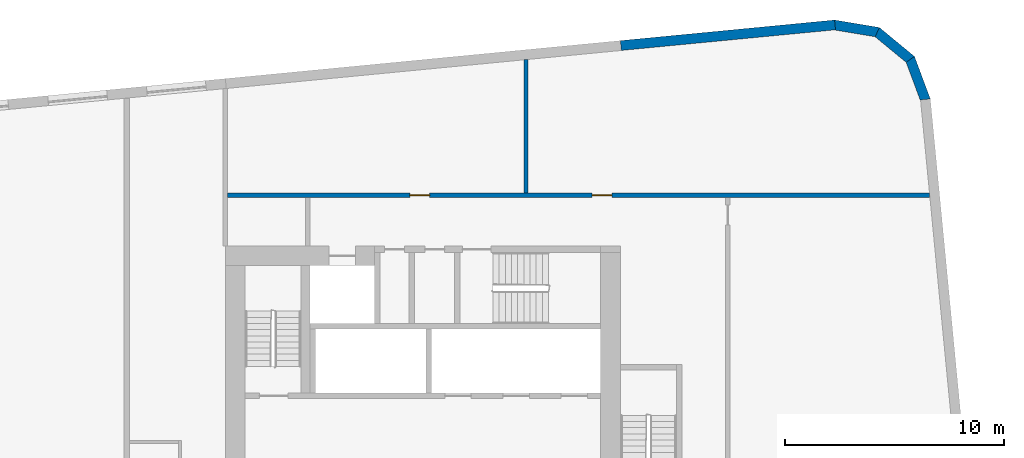
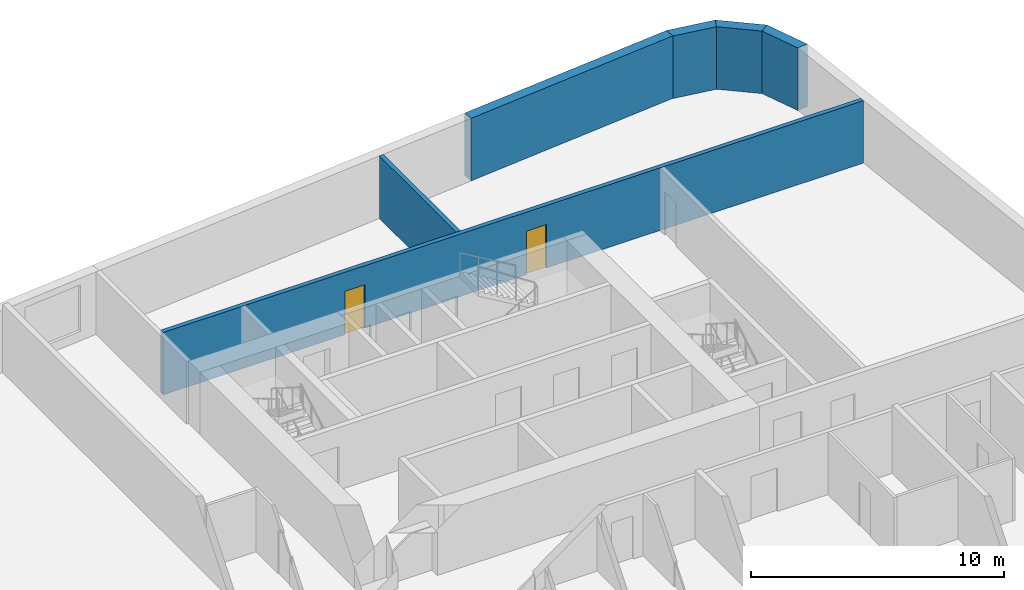
# One storey, part 8 of 12: 6 walls, 2 doors, 2 openings.
"""IFC4 building model written with IfcOpenShell, lengths in metres."""

import ifcopenshell
import ifcopenshell.guid

model = None  # the IFC model being written
_history = None  # IfcOwnerHistory: only IFC2X3 demands one
_inside = {}  # id of a spatial element -> (the spatial element, [elements in it])
_under = {}  # id of a project, library or spatial element -> (it, [spatial elements below it])
_declared = {}  # id of a project -> (the project, [libraries it declares])
_typed = {}  # id of a type object -> (the type object, [elements of that type])
_made_of = {}  # id of a material, layer set ... -> (it, [elements and type objects made of it])


def new_model(schema):
    """Start an empty IFC model of exactly this schema.

    Asked for "IFC4X3", IfcOpenShell would pick the latest addendum, in which some entities
    have other attributes; the version numbers below select the first issue.
    IFC2X3 requires an IfcOwnerHistory on every rooted entity: one is made here for all.
    """
    global model, _history
    if schema == "IFC4X3":
        model = ifcopenshell.file(schema_version=(4, 3, 0, 0))
    else:
        model = ifcopenshell.file(schema=schema)
    _inside.clear()
    _under.clear()
    _declared.clear()
    _typed.clear()
    _made_of.clear()
    _history = None
    if model.schema == "IFC2X3":
        org = make("IfcOrganization", Name="unknown")
        user = make(
            "IfcPersonAndOrganization",
            ThePerson=make("IfcPerson", FamilyName="unknown"),
            TheOrganization=org,
        )
        app = make(
            "IfcApplication",
            ApplicationDeveloper=org,
            Version="unknown",
            ApplicationFullName="unknown",
            ApplicationIdentifier="unknown",
        )
        _history = make(
            "IfcOwnerHistory",
            OwningUser=user,
            OwningApplication=app,
            ChangeAction="ADDED",
            CreationDate=0,
        )
    return model


def make(cls, **values):
    """One entity of the class cls with the attributes given. An attribute that is None is left unset."""
    return model.create_entity(
        cls, **{name: value for name, value in values.items() if value is not None}
    )


def rooted(cls, **values):
    """An entity with a GlobalId (a new one), such as an element, a storey or a relation."""
    return make(cls, GlobalId=ifcopenshell.guid.new(), OwnerHistory=_history, **values)


def si_unit(unit_type, name, prefix=None):
    """IfcSIUnit, for example si_unit("LENGTHUNIT", "METRE", prefix="MILLI")."""
    return make("IfcSIUnit", UnitType=unit_type, Prefix=prefix, Name=name)


def assignment(units):
    """IfcUnitAssignment: the units of a project."""
    return None if units is None else make("IfcUnitAssignment", Units=units)


def point(xyz):
    """IfcCartesianPoint."""
    return None if xyz is None else make("IfcCartesianPoint", Coordinates=xyz)


def direction(xyz):
    """IfcDirection."""
    return None if xyz is None else make("IfcDirection", DirectionRatios=xyz)


def frame(location, z_axis=None, x_axis=None):
    """IfcAxis2Placement3D, a coordinate frame: its origin and axes. An axis left out is left unset."""
    return make(
        "IfcAxis2Placement3D",
        Location=point(location),
        Axis=direction(z_axis),
        RefDirection=direction(x_axis),
    )


def frame_2d(location, x_axis=None):
    """IfcAxis2Placement2D, a coordinate frame in the plane: its origin and x axis."""
    return make(
        "IfcAxis2Placement2D", Location=point(location), RefDirection=direction(x_axis)
    )


def origin():
    """The frame at (0, 0, 0) with its axes left unset."""
    return frame((0.0, 0.0, 0.0))


def place(relative_to, where):
    """IfcLocalPlacement: puts the frame where relative to a parent placement (None: the world)."""
    return make(
        "IfcLocalPlacement", PlacementRelTo=relative_to, RelativePlacement=where
    )


def context(
    kind, dimensions, precision=None, world=None, true_north=None, identifier=None
):
    """IfcGeometricRepresentationContext, for example the 3D "Model" context."""
    return make(
        "IfcGeometricRepresentationContext",
        ContextIdentifier=identifier,
        ContextType=kind,
        CoordinateSpaceDimension=dimensions,
        Precision=precision,
        WorldCoordinateSystem=world,
        TrueNorth=true_north,
    )


def subcontext(parent, identifier, kind, view, scale=None):
    """IfcGeometricRepresentationSubContext, for example "Body" below "Model"."""
    return make(
        "IfcGeometricRepresentationSubContext",
        ContextIdentifier=identifier,
        ContextType=kind,
        ParentContext=parent,
        TargetScale=scale,
        TargetView=view,
    )


def project(units=None, contexts=None):
    """IfcProject with its units and contexts."""
    return rooted(
        "IfcProject",
        Name="project",
        RepresentationContexts=contexts,
        UnitsInContext=assignment(units),
    )


def spatial(cls, under=None, at=None, **own):
    """A site, building, storey or space (cls), placed at a placement, below another one or the project."""
    s = rooted(cls, ObjectPlacement=at, **own)
    if under is not None:
        _under.setdefault(under.id(), (under, []))[1].append(s)
    return s


def polyline(points):
    """IfcPolyline through the points."""
    return make("IfcPolyline", Points=[point(p) for p in points])


def profile(cls, at=None, kind="AREA", **sizes):
    """A parametric profile (cls). Its sizes go by their IFC names, for example OverallWidth=200.0."""
    return make(cls, ProfileType=kind, Position=at, **sizes)


def rectangle(**sizes):
    """IfcRectangleProfileDef."""
    return profile("IfcRectangleProfileDef", **sizes)


def outline(outer, holes=None, kind="AREA"):
    """IfcArbitraryClosedProfileDef: a profile drawn as a closed curve; with holes, ...WithVoids."""
    if holes is None:
        return make("IfcArbitraryClosedProfileDef", ProfileType=kind, OuterCurve=outer)
    return make(
        "IfcArbitraryProfileDefWithVoids",
        ProfileType=kind,
        OuterCurve=outer,
        InnerCurves=holes,
    )


def extrude(swept, where, along, depth):
    """IfcExtrudedAreaSolid: the profile swept, set in the frame where, extruded along a direction by depth."""
    return make(
        "IfcExtrudedAreaSolid",
        SweptArea=swept,
        Position=where,
        ExtrudedDirection=direction(along),
        Depth=depth,
    )


def shape(context_of_items, identifier, shape_type, items):
    """IfcShapeRepresentation: the items that make up one representation, for example the "Body"."""
    return make(
        "IfcShapeRepresentation",
        ContextOfItems=context_of_items,
        RepresentationIdentifier=identifier,
        RepresentationType=shape_type,
        Items=items,
    )


def material(Name=None, Category=None):
    """IfcMaterial."""
    return make("IfcMaterial", Name=Name, Category=Category)


def layer(
    of_material, thickness, ventilated=None, Name=None, Category=None, Priority=None
):
    """IfcMaterialLayer: one layer of a wall or slab, of a material (None: an air gap)."""
    return make(
        "IfcMaterialLayer",
        Material=of_material,
        LayerThickness=thickness,
        IsVentilated=ventilated,
        Name=Name,
        Category=Category,
        Priority=Priority,
    )


def layer_set(layers, Name=None):
    """IfcMaterialLayerSet."""
    return make("IfcMaterialLayerSet", MaterialLayers=layers, LayerSetName=Name)


def made_of(thing, what):
    """Note that an element or type object is made of a material, layer set ...; save() writes the relation."""
    if what is not None:
        _made_of.setdefault(what.id(), (what, []))[1].append(thing)
    return thing


def type_object(cls, material=None, **own):
    """A type object (cls), such as IfcWallType, which elements share."""
    return made_of(rooted(cls, **own), material)


def element(
    cls,
    number,
    at=None,
    inside=None,
    cuts=None,
    type_object=None,
    material=None,
    context=None,
    identifier="Body",
    shape_type=None,
    held_by="IfcProductDefinitionShape",
    body=None,
    shapes=None,
    **own,
):
    """One element of the class cls, such as IfcWall. Its Tag is "e" and its number.

    at: its placement. inside: the storey or other place that contains it. cuts: it is an
    opening in that element (IfcRelVoidsElement). A single representation is given by context,
    identifier, shape_type and body (its items); several are given by shapes. held_by: the class
    of the entity that holds the representations. save() writes the other relations.
    """
    e = rooted(cls, Tag="e%d" % number, ObjectPlacement=at, **own)
    if body is not None:
        shapes = [shape(context, identifier, shape_type, body)]
    if shapes is not None:
        e.Representation = make(held_by, Representations=shapes)
    if inside is not None:
        _inside.setdefault(inside.id(), (inside, []))[1].append(e)
    if cuts is not None:
        rooted(
            "IfcRelVoidsElement", RelatingBuildingElement=cuts, RelatedOpeningElement=e
        )
    if type_object is not None:
        _typed.setdefault(type_object.id(), (type_object, []))[1].append(e)
    return made_of(e, material)


def fill(opening, filler):
    """IfcRelFillsElement: the door or window that sits in an opening."""
    return rooted(
        "IfcRelFillsElement",
        RelatingOpeningElement=opening,
        RelatedBuildingElement=filler,
    )


def aggregate(whole, parts):
    """IfcRelAggregates: a whole, such as a stair, and the parts it consists of."""
    return rooted("IfcRelAggregates", RelatingObject=whole, RelatedObjects=parts)


def save(model, path):
    """Write the relations noted so far, then the file.

    IfcRelAggregates (storeys below a building ...), IfcRelContainedInSpatialStructure (elements
    in a storey), IfcRelDefinesByType, IfcRelAssociatesMaterial and IfcRelDeclares: one each for
    every whole, place, type object, material and project.
    """
    for whole, parts in _under.values():
        aggregate(whole, parts)
    for where, things in _inside.values():
        rooted(
            "IfcRelContainedInSpatialStructure",
            RelatedElements=things,
            RelatingStructure=where,
        )
    for kind, things in _typed.values():
        rooted("IfcRelDefinesByType", RelatedObjects=things, RelatingType=kind)
    for what, things in _made_of.values():
        rooted("IfcRelAssociatesMaterial", RelatedObjects=things, RelatingMaterial=what)
    for by, libraries in _declared.values():
        rooted("IfcRelDeclares", RelatingContext=by, RelatedDefinitions=libraries)
    model.write(path)


model = new_model("IFC4")

# Units and contexts
model_context = context("Model", 3, precision=1e-05, world=origin(), true_north=direction((0.0, 1.0)))
body_context = subcontext(model_context, "Body", "Model", "MODEL_VIEW")
ifc_project = project(units=[si_unit("LENGTHUNIT", "METRE"), si_unit("AREAUNIT", "SQUARE_METRE"), si_unit("VOLUMEUNIT", "CUBIC_METRE"), si_unit("PLANEANGLEUNIT", "RADIAN"), si_unit("MASSUNIT", "GRAM", prefix="KILO")], contexts=[model_context])

# Site, building, storey
site_placement = place(None, origin())
site = spatial("IfcSite", under=ifc_project, at=site_placement, CompositionType="ELEMENT")
building_placement = place(site_placement, origin())
building = spatial("IfcBuilding", under=site, at=building_placement, Name="Kajstack Hotel Tower", CompositionType="ELEMENT")
storey_placement = place(building_placement, frame((0.0, 0.0, 143.800048828125)))
storey = spatial("IfcBuildingStorey", under=building, at=storey_placement, Name="L33", CompositionType="ELEMENT", Elevation=143.800048828125)

# Walls
ifc_material_1 = material(Name="Terracotta-faced brick masonry", Category="masonry")
ifc_layer_1 = layer(ifc_material_1, 0.449951171875)
ifc_layer_set_1 = layer_set([ifc_layer_1], Name="EW-TERRA")
wall_type_1 = type_object("IfcWallType", Name="EW-TERRA", PredefinedType="SOLIDWALL", material=ifc_layer_set_1)
wall_1_placement = place(storey_placement, frame((45.41162109375, 22.10986328125, 0.0), z_axis=(0.0, 0.0, 1.0), x_axis=(-0.350192909346, 0.936677599948, 0.0)))
element("IfcWall", 1, at=wall_1_placement, inside=storey, type_object=wall_type_1, Name="E-wall-L33-09-00", PredefinedType="SOLIDWALL", context=body_context, shape_type="SweptSolid", body=[
    extrude(outline(polyline([(0.0, -0.22509765625), (2.070556640625, -0.22509765625), (1.949951171875, 0.224853515625), (0.12060546875, 0.224853515625), (0.0, -0.22509765625)])), origin(), (0.0, 0.0, 1.0), 3.02001953125),
])
wall_2_placement = place(storey_placement, frame((44.754150390625, 23.95458984375, 0.0), z_axis=(0.0, 0.0, 1.0), x_axis=(-0.771651049663, 0.636046112757, 0.0)))
element("IfcWall", 2, at=wall_2_placement, inside=storey, type_object=wall_type_1, Name="E-wall-L33-10-00", PredefinedType="SOLIDWALL", context=body_context, shape_type="SweptSolid", body=[
    extrude(outline(polyline([(0.0, -0.22509765625), (2.070556640625, -0.22509765625), (1.949951171875, 0.224853515625), (0.12060546875, 0.22509765625), (0.0, -0.22509765625)])), origin(), (0.0, 0.0, 1.0), 3.02001953125),
])
wall_3_placement = place(storey_placement, frame((43.262451171875, 25.223388671875, 0.0), z_axis=(0.0, 0.0, 1.0), x_axis=(-0.986298144721, 0.164972633245, 0.0)))
element("IfcWall", 3, at=wall_3_placement, inside=storey, type_object=wall_type_1, Name="E-wall-L33-11-00", PredefinedType="SOLIDWALL", context=body_context, shape_type="SweptSolid", body=[
    extrude(outline(polyline([(0.0, -0.224853515625), (2.070556640625, -0.22509765625), (1.949951171875, 0.22509765625), (0.12060546875, 0.22509765625), (0.0, -0.224853515625)])), origin(), (0.0, 0.0, 1.0), 3.02001953125),
])
wall_4_placement = place(storey_placement, frame((41.279052734375, 25.56298828125, 0.0), z_axis=(0.0, 0.0, 1.0), x_axis=(-0.995394735506, -0.095860943703, 0.0)))
element("IfcWall", 4, at=wall_4_placement, inside=storey, type_object=wall_type_1, Name="E-wall-L33-12-00", PredefinedType="SOLIDWALL", context=body_context, shape_type="SweptSolid", body=[
    extrude(rectangle(XDim=9.802734375, YDim=0.449951171875, at=frame_2d((4.9013671875, 0.0))), origin(), (0.0, 0.0, 1.0), 3.02001953125),
])

# Wall, openings, doors
ifc_material_2 = material(Name="Gypsum board on steel studs, mineral wool", Category="steel")
ifc_layer_2 = layer(ifc_material_2, 0.199951171875)
ifc_layer_set_2 = layer_set([ifc_layer_2], Name="Service partition 200")
wall_type_2 = type_object("IfcWallType", Name="Service partition 200", PredefinedType="PARTITIONING", material=ifc_layer_set_2)
wall_5_placement = place(storey_placement, frame((13.60009765625, 17.800048828125, 0.0), z_axis=(0.0, 0.0, 1.0), x_axis=(1.0, 0.0, 0.0)))
wall_5 = element("IfcWall", 5, at=wall_5_placement, inside=storey, type_object=wall_type_2, Name="Partition E SLN", PredefinedType="PARTITIONING", context=body_context, shape_type="SweptSolid", body=[
    extrude(rectangle(XDim=31.992919921875, YDim=0.199951171875, at=frame_2d((15.99658203125, 0.0))), origin(), (0.0, 0.0, 1.0), 3.02001953125),
])
opening_1_placement = place(wall_5_placement, frame((16.612548828125, 0.0, 0.0)))
opening_1 = element("IfcOpeningElement", 6, at=opening_1_placement, cuts=wall_5, Name="Opening 33E14", PredefinedType="OPENING", context=body_context, shape_type="SweptSolid", body=[
    extrude(rectangle(XDim=0.89990234375, YDim=2.10009765625, at=frame_2d((0.449951171875, 1.050048828125))), frame((0.0, 0.10986328125, 0.0), z_axis=(0.0, -1.0, 0.0), x_axis=(1.0, 0.0, 0.0)), (0.0, 0.0, 1.0), 0.219970703125),
])
opening_2_placement = place(wall_5_placement, frame((8.3125, 0.0, 0.0)))
opening_2 = element("IfcOpeningElement", 7, at=opening_2_placement, cuts=wall_5, Name="Opening 33E15", PredefinedType="OPENING", context=body_context, shape_type="SweptSolid", body=[
    extrude(rectangle(XDim=0.89990234375, YDim=2.10009765625, at=frame_2d((0.449951171875, 1.050048828125))), frame((0.0, 0.10986328125, 0.0), z_axis=(0.0, -1.0, 0.0), x_axis=(1.0, 0.0, 0.0)), (0.0, 0.0, 1.0), 0.219970703125),
])
ifc_material_3 = material(Name="Timber leaf, fire-rated", Category="wood")
door_type = type_object("IfcDoorType", Name="Service door 900", OperationType="SINGLE_SWING_LEFT", PredefinedType="DOOR", material=ifc_material_3)
door_1_placement = place(opening_1_placement, origin())
door_1 = element("IfcDoor", 8, at=door_1_placement, inside=storey, type_object=door_type, Name="Door 33E14", OperationType="SINGLE_SWING_LEFT", OverallHeight=2.10009765625, OverallWidth=0.89990234375, PredefinedType="DOOR", context=body_context, shape_type="SweptSolid", body=[
    extrude(rectangle(XDim=0.89990234375, YDim=2.10009765625, at=frame_2d((0.449951171875, 1.050048828125))), frame((0.0, 0.02490234375, 0.0), z_axis=(0.0, -1.0, 0.0), x_axis=(1.0, 0.0, 0.0)), (0.0, 0.0, 1.0), 0.050048828125),
])
fill(opening_1, door_1)
door_2_placement = place(opening_2_placement, origin())
door_2 = element("IfcDoor", 9, at=door_2_placement, inside=storey, type_object=door_type, Name="Door 33E15", OperationType="SINGLE_SWING_LEFT", OverallHeight=2.10009765625, OverallWidth=0.89990234375, PredefinedType="DOOR", context=body_context, shape_type="SweptSolid", body=[
    extrude(rectangle(XDim=0.89990234375, YDim=2.10009765625, at=frame_2d((0.449951171875, 1.050048828125))), frame((0.0, 0.02490234375, 0.0), z_axis=(0.0, -1.0, 0.0), x_axis=(1.0, 0.0, 0.0)), (0.0, 0.0, 1.0), 0.050048828125),
])
fill(opening_2, door_2)

# Wall
wall_6_placement = place(storey_placement, frame((27.199951171875, 17.89990234375, 0.0), z_axis=(0.0, 0.0, 1.0), x_axis=(0.0, 1.0, 0.0)))
element("IfcWall", 10, at=wall_6_placement, inside=storey, type_object=wall_type_2, Name="Partition E SLP0", PredefinedType="PARTITIONING", context=body_context, shape_type="SweptSolid", body=[
    extrude(rectangle(XDim=6.082275390625, YDim=0.199951171875, at=frame_2d((3.041015625, 0.0))), origin(), (0.0, 0.0, 1.0), 3.02001953125),
])

save(model, "model.ifc")
